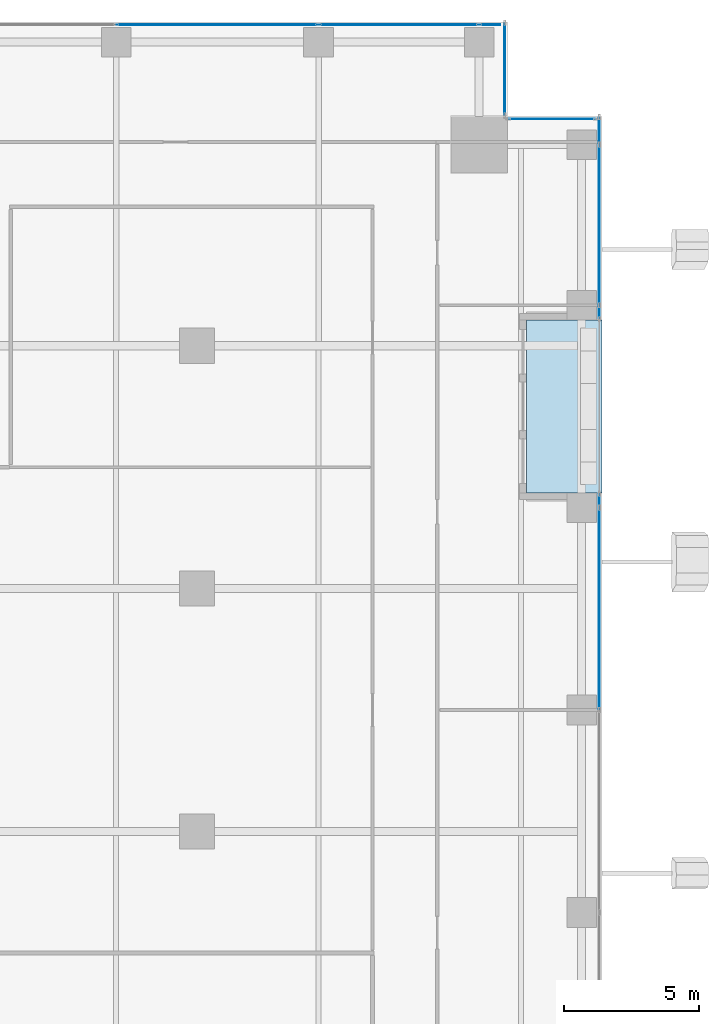
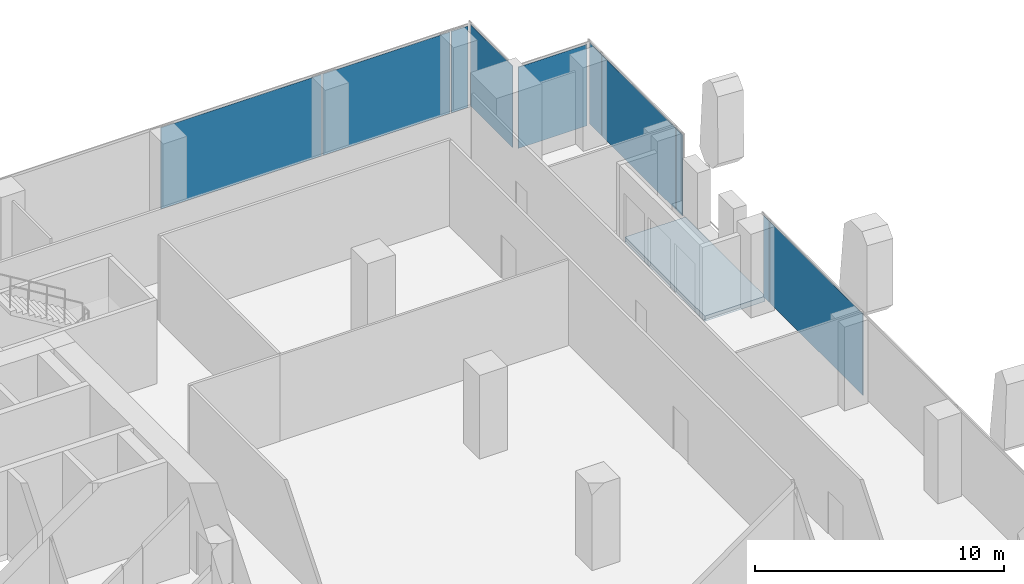
# One storey, part 27 of 35: 10 plates, 1 slab, 5 elements without a shape of their own.
"""IFC4 building model written with IfcOpenShell, lengths in metres."""

from ifc_helpers import new_model, si_unit, direction, frame, origin, origin_2d, place, context, subcontext, project, spatial, polyline, rectangle, outline, extrude, source, transform, mapped, material, layer, layer_set, type_object, element, aggregate, save


model = new_model("IFC4")

# Units and contexts
model_context = context("Model", 3, precision=1e-05, world=origin(), true_north=direction((0.0, 1.0)))
body_context = subcontext(model_context, "Body", "Model", "MODEL_VIEW")
ifc_project = project(units=[si_unit("LENGTHUNIT", "METRE"), si_unit("AREAUNIT", "SQUARE_METRE"), si_unit("VOLUMEUNIT", "CUBIC_METRE"), si_unit("PLANEANGLEUNIT", "RADIAN"), si_unit("MASSUNIT", "GRAM", prefix="KILO")], contexts=[model_context])

# Site, building, storey
site_placement = place(None, origin())
site = spatial("IfcSite", under=ifc_project, at=site_placement, CompositionType="ELEMENT")
building_placement = place(site_placement, origin())
building = spatial("IfcBuilding", under=site, at=building_placement, Name="Khomas Fold Tower", CompositionType="ELEMENT")
storey_placement = place(building_placement, frame((0.0, 0.0, 136.699951171875)))
storey = spatial("IfcBuildingStorey", under=building, at=storey_placement, Name="L29", CompositionType="ELEMENT", Elevation=136.699951171875)

# Curtain wall, plate
ifc_material_1 = material(Name="Aluminium framed double glazing", Category="aluminium")
curtain_wall_type = type_object("IfcCurtainWallType", Name="SK-Unitised clear-glass wall, growing floors CW1", PredefinedType="NOTDEFINED", material=ifc_material_1)
curtain_wall_1_placement = place(storey_placement, origin())
curtain_wall_1 = element("IfcCurtainWall", 1, at=curtain_wall_1_placement, inside=storey, type_object=curtain_wall_type, Name="CW1 run L29 06-0", PredefinedType="NOTDEFINED")
ifc_material_2 = material(Name="Clear double glazed unit")
ifc_layer_1 = layer(ifc_material_2, 0.031982421875)
ifc_layer_set_1 = layer_set([ifc_layer_1], Name="Clear double glazed unit")
plate_type = type_object("IfcPlateType", Name="SK-Unitised clear-glass wall, growing floors glass panel CW1-P", PredefinedType="CURTAIN_PANEL", material=ifc_layer_set_1)
shared_shape_1 = source(origin(), body_context, "Body", "SweptSolid", [
    extrude(rectangle(XDim=0.760009765625, YDim=0.031982421875, at=origin_2d()), origin(), (0.0, 0.0, 1.0), 3.97998046875),
])
plate_1_placement = place(storey_placement, frame((48.360107421875, 52.39990234375, 0.0), z_axis=(0.0, 0.0, 1.0), x_axis=(-1.0, 0.0, 0.0)))
plate_1 = element("IfcPlate", 2, at=plate_1_placement, type_object=plate_type, Name="CW1 glass panel 1", PredefinedType="CURTAIN_PANEL", context=body_context, shape_type="MappedRepresentation", body=[
    mapped(shared_shape_1, transform((0.0, 0.0, 0.0))),
])

curtain_wall_2_placement = place(storey_placement, origin())
curtain_wall_2 = element("IfcCurtainWall", 3, at=curtain_wall_2_placement, inside=storey, type_object=curtain_wall_type, Name="CW1 run L29 03-1", PredefinedType="NOTDEFINED")
shared_shape_2 = source(origin(), body_context, "Body", "SweptSolid", [
    extrude(rectangle(XDim=5.889892578125, YDim=0.031982421875, at=origin_2d()), origin(), (0.0, 0.0, 1.0), 3.97998046875),
])
plate_2_placement = place(storey_placement, frame((52.39990234375, 44.97509765625, 0.0), z_axis=(0.0, 0.0, 1.0), x_axis=(0.0, 1.0, 0.0)))
plate_2 = element("IfcPlate", 4, at=plate_2_placement, type_object=plate_type, Name="CW1 glass panel 2", PredefinedType="CURTAIN_PANEL", context=body_context, shape_type="MappedRepresentation", body=[
    mapped(shared_shape_2, transform((0.0, 0.0, 0.0))),
])

# Plate
plate_3_placement = place(storey_placement, frame((44.97509765625, 52.39990234375, 0.0), z_axis=(0.0, 0.0, 1.0), x_axis=(-1.0, 0.0, 0.0)))
plate_3 = element("IfcPlate", 5, at=plate_3_placement, type_object=plate_type, Name="CW1 glass panel 2", PredefinedType="CURTAIN_PANEL", context=body_context, shape_type="MappedRepresentation", body=[
    mapped(shared_shape_2, transform((0.0, 0.0, 0.0))),
])

# Curtain wall, plate
curtain_wall_3_placement = place(storey_placement, origin())
curtain_wall_3 = element("IfcCurtainWall", 6, at=curtain_wall_3_placement, inside=storey, type_object=curtain_wall_type, Name="CW1 run L29 03-0", PredefinedType="NOTDEFINED")
shared_shape_3 = source(origin(), body_context, "Body", "SweptSolid", [
    extrude(rectangle(XDim=7.43994140625, YDim=0.031982421875, at=origin_2d()), origin(), (0.0, 0.0, 1.0), 3.97998046875),
])
plate_4_placement = place(storey_placement, frame((52.39990234375, 30.75, 0.0), z_axis=(0.0, 0.0, 1.0), x_axis=(0.0, 1.0, 0.0)))
plate_4 = element("IfcPlate", 7, at=plate_4_placement, type_object=plate_type, Name="CW1 glass panel 5", PredefinedType="CURTAIN_PANEL", context=body_context, shape_type="MappedRepresentation", body=[
    mapped(shared_shape_3, transform((0.0, 0.0, 0.0))),
])

# Plate
plate_5_placement = place(storey_placement, frame((38.25, 52.39990234375, 0.0), z_axis=(0.0, 0.0, 1.0), x_axis=(-1.0, 0.0, 0.0)))
plate_5 = element("IfcPlate", 8, at=plate_5_placement, type_object=plate_type, Name="CW1 glass panel 3", PredefinedType="CURTAIN_PANEL", context=body_context, shape_type="MappedRepresentation", body=[
    mapped(shared_shape_3, transform((0.0, 0.0, 0.0))),
])

aggregate(curtain_wall_1, [plate_1, plate_3, plate_5])

shared_shape_4 = source(origin(), body_context, "Body", "SweptSolid", [
    extrude(rectangle(XDim=0.9599609375, YDim=0.031982421875, at=origin_2d()), origin(), (0.0, 0.0, 1.0), 3.97998046875),
])
plate_6_placement = place(storey_placement, frame((52.39990234375, 48.4599609375, 0.0), z_axis=(0.0, 0.0, 1.0), x_axis=(0.0, 1.0, 0.0)))
plate_6 = element("IfcPlate", 9, at=plate_6_placement, type_object=plate_type, Name="CW1 glass panel 3", PredefinedType="CURTAIN_PANEL", context=body_context, shape_type="MappedRepresentation", body=[
    mapped(shared_shape_4, transform((0.0, 0.0, 0.0))),
])

# Curtain wall, plate
curtain_wall_4_placement = place(storey_placement, origin())
curtain_wall_4 = element("IfcCurtainWall", 10, at=curtain_wall_4_placement, inside=storey, type_object=curtain_wall_type, Name="CW1 corner return L29 04", PredefinedType="NOTDEFINED")
shared_shape_5 = source(origin(), body_context, "Body", "SweptSolid", [
    extrude(rectangle(XDim=3.179931640625, YDim=0.031982421875, at=origin_2d()), origin(), (0.0, 0.0, 1.0), 3.97998046875),
])
plate_7_placement = place(storey_placement, frame((50.64990234375, 48.89990234375, 0.0), z_axis=(0.0, 0.0, 1.0), x_axis=(-1.0, 0.0, 0.0)))
plate_7 = element("IfcPlate", 11, at=plate_7_placement, type_object=plate_type, Name="CW1 glass panel 1", PredefinedType="CURTAIN_PANEL", context=body_context, shape_type="MappedRepresentation", body=[
    mapped(shared_shape_5, transform((0.0, 0.0, 0.0))),
])
aggregate(curtain_wall_4, [plate_7])

curtain_wall_5_placement = place(storey_placement, origin())
curtain_wall_5 = element("IfcCurtainWall", 12, at=curtain_wall_5_placement, inside=storey, type_object=curtain_wall_type, Name="CW1 corner return L29 05", PredefinedType="NOTDEFINED")
shared_shape_6 = source(origin(), body_context, "Body", "SweptSolid", [
    extrude(rectangle(XDim=3.3798828125, YDim=0.031982421875, at=origin_2d()), origin(), (0.0, 0.0, 1.0), 3.97998046875),
])
plate_8_placement = place(storey_placement, frame((48.89990234375, 50.75, 0.0), z_axis=(0.0, 0.0, 1.0), x_axis=(0.0, 1.0, 0.0)))
plate_8 = element("IfcPlate", 13, at=plate_8_placement, type_object=plate_type, Name="CW1 glass panel 1", PredefinedType="CURTAIN_PANEL", context=body_context, shape_type="MappedRepresentation", body=[
    mapped(shared_shape_6, transform((0.0, 0.0, 0.0))),
])
aggregate(curtain_wall_5, [plate_8])

# Plate
shared_shape_7 = source(origin(), body_context, "Body", "SweptSolid", [
    extrude(rectangle(XDim=0.4599609375, YDim=0.031982421875, at=origin_2d()), origin(), (0.0, 0.0, 1.0), 3.97998046875),
])
plate_9_placement = place(storey_placement, frame((52.39990234375, 34.760009765625, 0.0), z_axis=(0.0, 0.0, 1.0), x_axis=(0.0, 1.0, 0.0)))
plate_9 = element("IfcPlate", 14, at=plate_9_placement, type_object=plate_type, Name="CW1 glass panel 6", PredefinedType="CURTAIN_PANEL", context=body_context, shape_type="MappedRepresentation", body=[
    mapped(shared_shape_7, transform((0.0, 0.0, 0.0))),
])

aggregate(curtain_wall_3, [plate_4, plate_9])

plate_10_placement = place(storey_placement, frame((52.39990234375, 41.739990234375, 0.0), z_axis=(0.0, 0.0, 1.0), x_axis=(0.0, 1.0, 0.0)))
plate_10 = element("IfcPlate", 15, at=plate_10_placement, type_object=plate_type, Name="CW1 glass panel 1", PredefinedType="CURTAIN_PANEL", context=body_context, shape_type="MappedRepresentation", body=[
    mapped(shared_shape_7, transform((0.0, 0.0, 0.0))),
])

aggregate(curtain_wall_2, [plate_10, plate_2, plate_6])

# Slab
ifc_material_3 = material(Name="Concrete C40/50", Category="concrete")
ifc_layer_2 = layer(ifc_material_3, 0.2548828125)
ifc_layer_set_2 = layer_set([ifc_layer_2], Name="Concrete C40/50")
slab_type = type_object("IfcSlabType", Name="BL-Balcony deck 255", PredefinedType="FLOOR", material=ifc_layer_set_2)
shared_shape_8 = source(origin(), body_context, "Body", "SweptSolid", [
    extrude(outline(polyline([(49.699951171875, 35.050048828125), (52.5, 35.050048828125), (52.5, 41.449951171875), (49.699951171875, 41.449951171875), (49.699951171875, 35.050048828125)])), origin(), (0.0, 0.0, 1.0), 0.255126953125),
])
slab_placement = place(storey_placement, frame((0.0, 0.0, -0.300048828125)))
element("IfcSlab", 16, at=slab_placement, inside=storey, type_object=slab_type, Name="Balcony deck BAL-L29-E4", PredefinedType="FLOOR", context=body_context, shape_type="MappedRepresentation", body=[
    mapped(shared_shape_8, transform((0.0, 0.0, 0.0))),
])

save(model, "model.ifc")
